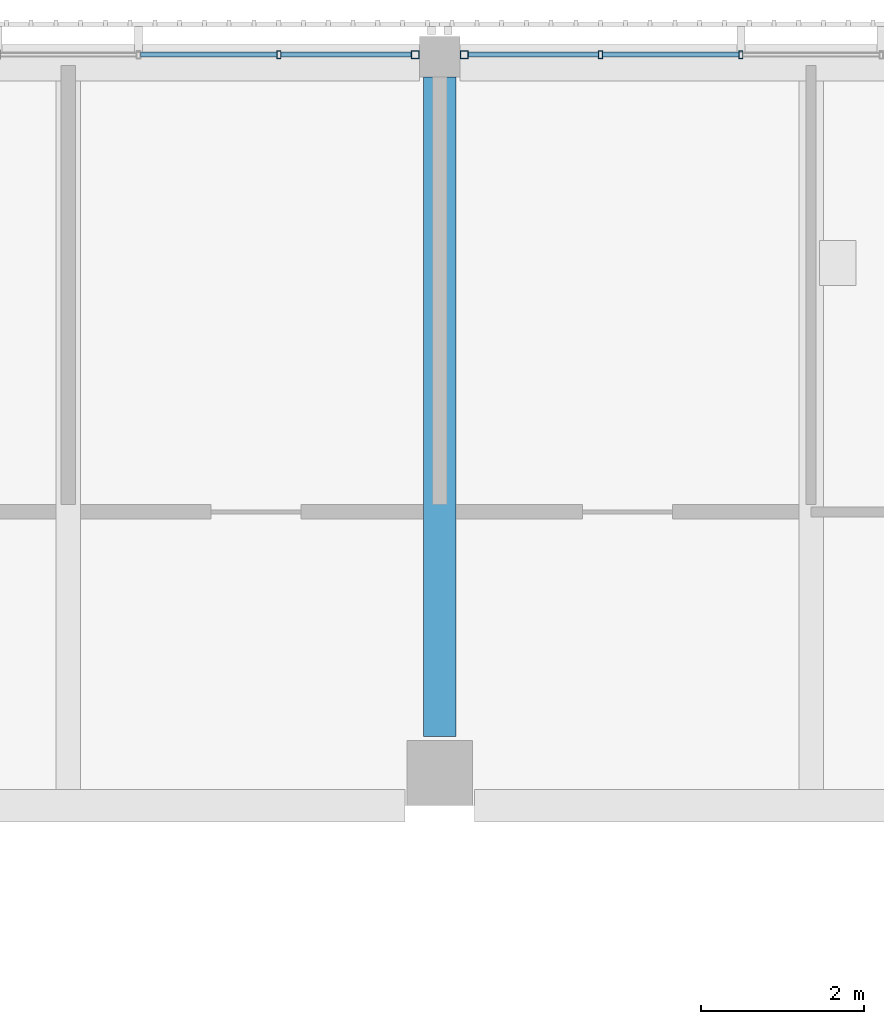
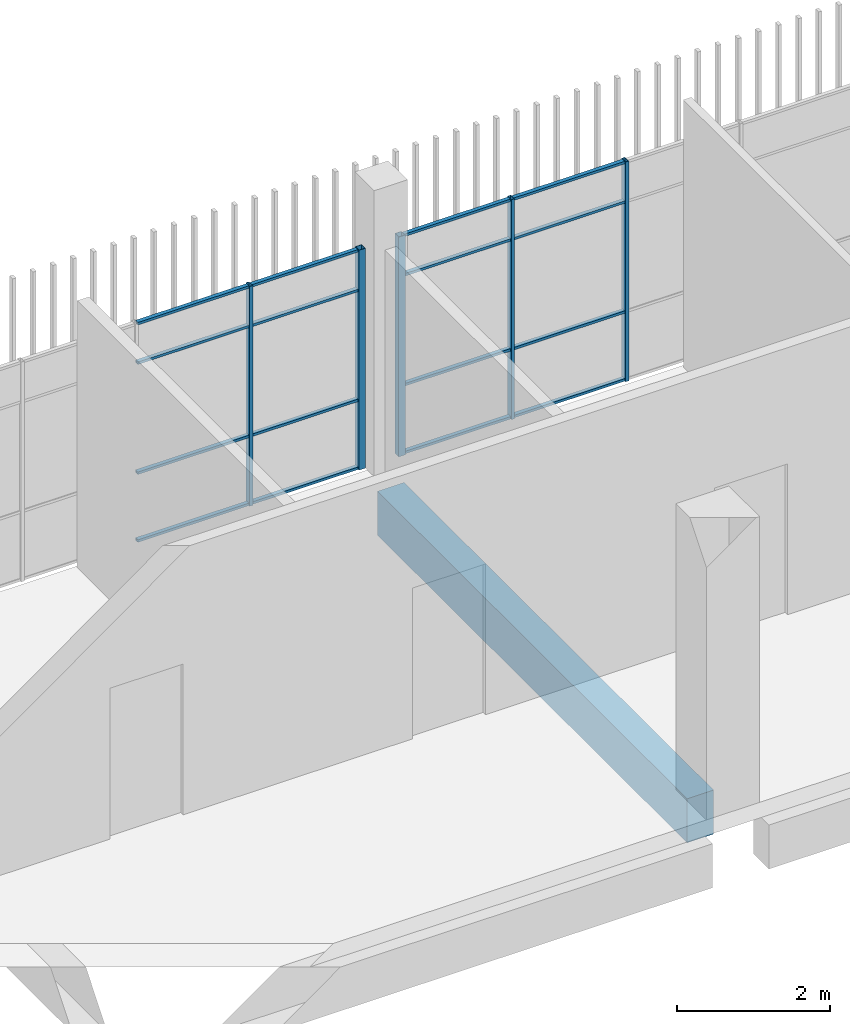
# One storey, part 44 of 124: 21 members, 1 beam, 2 elements without a shape of their own.
"""IFC4 building model written with IfcOpenShell, lengths in metres."""

from ifc_helpers import new_model, si_unit, direction, frame, origin, origin_2d, place, context, subcontext, project, spatial, rectangle, hollow_rectangle, extrude, material, layer, layer_set, material_profile, profile_set, type_object, element, aggregate, save


model = new_model("IFC4")

# Units and contexts
model_context = context("Model", 3, precision=1e-05, world=origin(), true_north=direction((0.0, 1.0)))
body_context = subcontext(model_context, "Body", "Model", "MODEL_VIEW")
ifc_project = project(units=[si_unit("LENGTHUNIT", "METRE"), si_unit("AREAUNIT", "SQUARE_METRE"), si_unit("VOLUMEUNIT", "CUBIC_METRE"), si_unit("PLANEANGLEUNIT", "RADIAN"), si_unit("MASSUNIT", "GRAM", prefix="KILO")], contexts=[model_context])

# Site, building, storey
site_placement = place(None, origin())
site = spatial("IfcSite", under=ifc_project, at=site_placement, CompositionType="ELEMENT")
building_placement = place(site_placement, origin())
building = spatial("IfcBuilding", under=site, at=building_placement, Name="Shirokan Park Arena", CompositionType="ELEMENT")
storey_placement = place(building_placement, frame((0.0, 0.0, 20.02001953125)))
storey = spatial("IfcBuildingStorey", under=building, at=storey_placement, Name="L04", CompositionType="ELEMENT", Elevation=20.02001953125)

# Curtain wall, member
ifc_material_1 = material(Name="Steel and glass curtain wall", Category="steel")
ifc_layer = layer(ifc_material_1, 0.10009765625)
ifc_layer_set = layer_set([ifc_layer], Name="Steel and glass curtain wall 100 mm")
curtain_wall_type = type_object("IfcCurtainWallType", Name="Curtain wall sheltered bay 100", PredefinedType="NOTDEFINED", material=ifc_layer_set)
curtain_wall_1_placement = place(storey_placement, origin())
curtain_wall_1 = element("IfcCurtainWall", 1, at=curtain_wall_1_placement, inside=storey, type_object=curtain_wall_type, Name="Curtain wall north bay 6 L04", PredefinedType="NOTDEFINED")
ifc_material_2 = material(Name="Steel S355", Category="steel")
ifc_material_profile_1 = material_profile(ifc_material_2, hollow_rectangle(XDim=0.10009765625, YDim=0.10009765625, WallThickness=0.006103515625, at=origin_2d()), Name="RHS 100x100x6")
ifc_profile_set_1 = profile_set([ifc_material_profile_1], Name="Steel S355")
member_type_1 = type_object("IfcMemberType", Name="Mullion RHS 100x100x6", PredefinedType="MULLION", material=ifc_profile_set_1)
member_1_placement = place(storey_placement, frame((91.300048828125, 109.300048828125, 0.0), z_axis=(0.0, 0.0, 1.0), x_axis=(0.0, -1.0, 0.0)))
member_1 = element("IfcMember", 2, at=member_1_placement, type_object=member_type_1, Name="CW2 mullion 6", PredefinedType="MULLION", context=body_context, shape_type="SweptSolid", body=[
    extrude(hollow_rectangle(XDim=0.10009765625, YDim=0.10009765625, WallThickness=0.006103515625, at=origin_2d()), origin(), (0.0, 0.0, 1.0), 3.5),
])

curtain_wall_2_placement = place(storey_placement, origin())
curtain_wall_2 = element("IfcCurtainWall", 3, at=curtain_wall_2_placement, inside=storey, type_object=curtain_wall_type, Name="Curtain wall north bay 7 L04", PredefinedType="NOTDEFINED")
member_2_placement = place(storey_placement, frame((90.699951171875, 109.300048828125, 0.0), z_axis=(0.0, 0.0, 1.0), x_axis=(0.0, -1.0, 0.0)))
member_2 = element("IfcMember", 4, at=member_2_placement, type_object=member_type_1, Name="CW2 mullion 1", PredefinedType="MULLION", context=body_context, shape_type="SweptSolid", body=[
    extrude(hollow_rectangle(XDim=0.10009765625, YDim=0.10009765625, WallThickness=0.006103515625, at=origin_2d()), origin(), (0.0, 0.0, 1.0), 3.5),
])

# Member
ifc_material_profile_2 = material_profile(ifc_material_2, hollow_rectangle(XDim=0.10009765625, YDim=0.050048828125, WallThickness=0.0048828125, at=origin_2d()), Name="RHS 100x50x5")
ifc_profile_set_2 = profile_set([ifc_material_profile_2], Name="Steel S355")
member_type_2 = type_object("IfcMemberType", Name="Mullion RHS 100x50x5", PredefinedType="MULLION", material=ifc_profile_set_2)
member_3_placement = place(storey_placement, frame((94.68994140625, 109.300048828125, 0.0), z_axis=(0.0, 0.0, 1.0), x_axis=(0.0, -1.0, 0.0)))
member_3 = element("IfcMember", 5, at=member_3_placement, type_object=member_type_2, Name="CW2 mullion 4", PredefinedType="MULLION", context=body_context, shape_type="SweptSolid", body=[
    extrude(hollow_rectangle(XDim=0.10009765625, YDim=0.050048828125, WallThickness=0.0048828125, at=origin_2d()), origin(), (0.0, 0.0, 1.0), 3.5),
])

member_4_placement = place(storey_placement, frame((92.969970703125, 109.300048828125, 0.0), z_axis=(0.0, 0.0, 1.0), x_axis=(0.0, -1.0, 0.0)))
member_4 = element("IfcMember", 6, at=member_4_placement, type_object=member_type_2, Name="CW2 mullion 5", PredefinedType="MULLION", context=body_context, shape_type="SweptSolid", body=[
    extrude(hollow_rectangle(XDim=0.10009765625, YDim=0.050048828125, WallThickness=0.0048828125, at=origin_2d()), origin(), (0.0, 0.0, 1.0), 3.5),
])

member_5_placement = place(storey_placement, frame((89.030029296875, 109.300048828125, 0.0), z_axis=(0.0, 0.0, 1.0), x_axis=(0.0, -1.0, 0.0)))
member_5 = element("IfcMember", 7, at=member_5_placement, type_object=member_type_2, Name="CW2 mullion 2", PredefinedType="MULLION", context=body_context, shape_type="SweptSolid", body=[
    extrude(hollow_rectangle(XDim=0.10009765625, YDim=0.050048828125, WallThickness=0.0048828125, at=origin_2d()), origin(), (0.0, 0.0, 1.0), 3.5),
])

# Beam
ifc_material_3 = material(Name="Concrete C35", Category="concrete")
ifc_material_profile_3 = material_profile(ifc_material_3, rectangle(XDim=0.39990234375, YDim=0.699951171875, at=origin_2d()), Name="400x700")
ifc_profile_set_3 = profile_set([ifc_material_profile_3], Name="Concrete C35")
beam_type = type_object("IfcBeamType", Name="RC girder 400x700", PredefinedType="BEAM", material=ifc_profile_set_3)
beam_placement = place(storey_placement, frame((91.0, 100.9501953125, -0.60009765625), z_axis=(0.0, 1.0, 0.0), x_axis=(-1.0, 0.0, 0.0)))
element("IfcBeam", 8, at=beam_placement, inside=storey, type_object=beam_type, Name="Girder 11M-11N L04", PredefinedType="BEAM", context=body_context, shape_type="SweptSolid", body=[
    extrude(rectangle(XDim=0.39990234375, YDim=0.699951171875, at=origin_2d()), origin(), (0.0, 0.0, 1.0), 8.07470703125),
])

# Member
ifc_material_profile_4 = material_profile(ifc_material_2, hollow_rectangle(XDim=0.06005859375, YDim=0.0400390625, WallThickness=0.00390625, at=origin_2d()), Name="RHS 60x40x4")
ifc_profile_set_4 = profile_set([ifc_material_profile_4], Name="Steel S355")
member_type_3 = type_object("IfcMemberType", Name="Transom RHS 60x40x4", PredefinedType="MULLION", material=ifc_profile_set_4)
member_6_placement = place(storey_placement, frame((94.6650390625, 109.300048828125, 0.02001953125), z_axis=(-1.0, 0.0, 0.0), x_axis=(0.0, -1.0, 0.0)))
member_6 = element("IfcMember", 9, at=member_6_placement, type_object=member_type_3, Name="CW2 transom 4.1", PredefinedType="MULLION", context=body_context, shape_type="SweptSolid", body=[
    extrude(hollow_rectangle(XDim=0.06005859375, YDim=0.0400390625, WallThickness=0.00390625, at=origin_2d()), origin(), (0.0, 0.0, 1.0), 1.669921875),
])

member_7_placement = place(storey_placement, frame((94.6650390625, 109.300048828125, 1.10009765625), z_axis=(-1.0, 0.0, 0.0), x_axis=(0.0, -1.0, 0.0)))
member_7 = element("IfcMember", 10, at=member_7_placement, type_object=member_type_3, Name="CW2 transom 4.2", PredefinedType="MULLION", context=body_context, shape_type="SweptSolid", body=[
    extrude(hollow_rectangle(XDim=0.06005859375, YDim=0.0400390625, WallThickness=0.00390625, at=origin_2d()), origin(), (0.0, 0.0, 1.0), 1.669921875),
])

member_8_placement = place(storey_placement, frame((94.6650390625, 109.300048828125, 2.85009765625), z_axis=(-1.0, 0.0, 0.0), x_axis=(0.0, -1.0, 0.0)))
member_8 = element("IfcMember", 11, at=member_8_placement, type_object=member_type_3, Name="CW2 transom 4.3", PredefinedType="MULLION", context=body_context, shape_type="SweptSolid", body=[
    extrude(hollow_rectangle(XDim=0.06005859375, YDim=0.0400390625, WallThickness=0.00390625, at=origin_2d()), origin(), (0.0, 0.0, 1.0), 1.669921875),
])

member_9_placement = place(storey_placement, frame((94.6650390625, 109.300048828125, 3.47998046875), z_axis=(-1.0, 0.0, 0.0), x_axis=(0.0, -1.0, 0.0)))
member_9 = element("IfcMember", 12, at=member_9_placement, type_object=member_type_3, Name="CW2 transom 4.4", PredefinedType="MULLION", context=body_context, shape_type="SweptSolid", body=[
    extrude(hollow_rectangle(XDim=0.06005859375, YDim=0.0400390625, WallThickness=0.00390625, at=origin_2d()), origin(), (0.0, 0.0, 1.0), 1.669921875),
])

member_10_placement = place(storey_placement, frame((92.945068359375, 109.300048828125, 0.02001953125), z_axis=(-1.0, 0.0, 0.0), x_axis=(0.0, -1.0, 0.0)))
member_10 = element("IfcMember", 13, at=member_10_placement, type_object=member_type_3, Name="CW2 transom 5.1", PredefinedType="MULLION", context=body_context, shape_type="SweptSolid", body=[
    extrude(hollow_rectangle(XDim=0.06005859375, YDim=0.0400390625, WallThickness=0.00390625, at=origin_2d()), origin(), (0.0, 0.0, 1.0), 1.594970703125),
])

member_11_placement = place(storey_placement, frame((92.945068359375, 109.300048828125, 1.10009765625), z_axis=(-1.0, 0.0, 0.0), x_axis=(0.0, -1.0, 0.0)))
member_11 = element("IfcMember", 14, at=member_11_placement, type_object=member_type_3, Name="CW2 transom 5.2", PredefinedType="MULLION", context=body_context, shape_type="SweptSolid", body=[
    extrude(hollow_rectangle(XDim=0.06005859375, YDim=0.0400390625, WallThickness=0.00390625, at=origin_2d()), origin(), (0.0, 0.0, 1.0), 1.594970703125),
])

member_12_placement = place(storey_placement, frame((92.945068359375, 109.300048828125, 2.85009765625), z_axis=(-1.0, 0.0, 0.0), x_axis=(0.0, -1.0, 0.0)))
member_12 = element("IfcMember", 15, at=member_12_placement, type_object=member_type_3, Name="CW2 transom 5.3", PredefinedType="MULLION", context=body_context, shape_type="SweptSolid", body=[
    extrude(hollow_rectangle(XDim=0.06005859375, YDim=0.0400390625, WallThickness=0.00390625, at=origin_2d()), origin(), (0.0, 0.0, 1.0), 1.594970703125),
])

member_13_placement = place(storey_placement, frame((92.945068359375, 109.300048828125, 3.47998046875), z_axis=(-1.0, 0.0, 0.0), x_axis=(0.0, -1.0, 0.0)))
member_13 = element("IfcMember", 16, at=member_13_placement, type_object=member_type_3, Name="CW2 transom 5.4", PredefinedType="MULLION", context=body_context, shape_type="SweptSolid", body=[
    extrude(hollow_rectangle(XDim=0.06005859375, YDim=0.0400390625, WallThickness=0.00390625, at=origin_2d()), origin(), (0.0, 0.0, 1.0), 1.594970703125),
])

aggregate(curtain_wall_1, [member_3, member_4, member_1, member_6, member_7, member_8, member_9, member_10, member_11, member_12, member_13])

member_14_placement = place(storey_placement, frame((90.64990234375, 109.300048828125, 0.02001953125), z_axis=(-1.0, 0.0, 0.0), x_axis=(0.0, -1.0, 0.0)))
member_14 = element("IfcMember", 17, at=member_14_placement, type_object=member_type_3, Name="CW2 transom 1.1", PredefinedType="MULLION", context=body_context, shape_type="SweptSolid", body=[
    extrude(hollow_rectangle(XDim=0.06005859375, YDim=0.0400390625, WallThickness=0.00390625, at=origin_2d()), origin(), (0.0, 0.0, 1.0), 1.594970703125),
])

member_15_placement = place(storey_placement, frame((90.64990234375, 109.300048828125, 1.10009765625), z_axis=(-1.0, 0.0, 0.0), x_axis=(0.0, -1.0, 0.0)))
member_15 = element("IfcMember", 18, at=member_15_placement, type_object=member_type_3, Name="CW2 transom 1.2", PredefinedType="MULLION", context=body_context, shape_type="SweptSolid", body=[
    extrude(hollow_rectangle(XDim=0.06005859375, YDim=0.0400390625, WallThickness=0.00390625, at=origin_2d()), origin(), (0.0, 0.0, 1.0), 1.594970703125),
])

member_16_placement = place(storey_placement, frame((90.64990234375, 109.300048828125, 2.85009765625), z_axis=(-1.0, 0.0, 0.0), x_axis=(0.0, -1.0, 0.0)))
member_16 = element("IfcMember", 19, at=member_16_placement, type_object=member_type_3, Name="CW2 transom 1.3", PredefinedType="MULLION", context=body_context, shape_type="SweptSolid", body=[
    extrude(hollow_rectangle(XDim=0.06005859375, YDim=0.0400390625, WallThickness=0.00390625, at=origin_2d()), origin(), (0.0, 0.0, 1.0), 1.594970703125),
])

member_17_placement = place(storey_placement, frame((90.64990234375, 109.300048828125, 3.47998046875), z_axis=(-1.0, 0.0, 0.0), x_axis=(0.0, -1.0, 0.0)))
member_17 = element("IfcMember", 20, at=member_17_placement, type_object=member_type_3, Name="CW2 transom 1.4", PredefinedType="MULLION", context=body_context, shape_type="SweptSolid", body=[
    extrude(hollow_rectangle(XDim=0.06005859375, YDim=0.0400390625, WallThickness=0.00390625, at=origin_2d()), origin(), (0.0, 0.0, 1.0), 1.594970703125),
])

member_18_placement = place(storey_placement, frame((89.0048828125, 109.300048828125, 0.02001953125), z_axis=(-1.0, 0.0, 0.0), x_axis=(0.0, -1.0, 0.0)))
member_18 = element("IfcMember", 21, at=member_18_placement, type_object=member_type_3, Name="CW2 transom 2.1", PredefinedType="MULLION", context=body_context, shape_type="SweptSolid", body=[
    extrude(hollow_rectangle(XDim=0.06005859375, YDim=0.0400390625, WallThickness=0.00390625, at=origin_2d()), origin(), (0.0, 0.0, 1.0), 1.669921875),
])

member_19_placement = place(storey_placement, frame((89.0048828125, 109.300048828125, 1.10009765625), z_axis=(-1.0, 0.0, 0.0), x_axis=(0.0, -1.0, 0.0)))
member_19 = element("IfcMember", 22, at=member_19_placement, type_object=member_type_3, Name="CW2 transom 2.2", PredefinedType="MULLION", context=body_context, shape_type="SweptSolid", body=[
    extrude(hollow_rectangle(XDim=0.06005859375, YDim=0.0400390625, WallThickness=0.00390625, at=origin_2d()), origin(), (0.0, 0.0, 1.0), 1.669921875),
])

member_20_placement = place(storey_placement, frame((89.0048828125, 109.300048828125, 2.85009765625), z_axis=(-1.0, 0.0, 0.0), x_axis=(0.0, -1.0, 0.0)))
member_20 = element("IfcMember", 23, at=member_20_placement, type_object=member_type_3, Name="CW2 transom 2.3", PredefinedType="MULLION", context=body_context, shape_type="SweptSolid", body=[
    extrude(hollow_rectangle(XDim=0.06005859375, YDim=0.0400390625, WallThickness=0.00390625, at=origin_2d()), origin(), (0.0, 0.0, 1.0), 1.669921875),
])

member_21_placement = place(storey_placement, frame((89.0048828125, 109.300048828125, 3.47998046875), z_axis=(-1.0, 0.0, 0.0), x_axis=(0.0, -1.0, 0.0)))
member_21 = element("IfcMember", 24, at=member_21_placement, type_object=member_type_3, Name="CW2 transom 2.4", PredefinedType="MULLION", context=body_context, shape_type="SweptSolid", body=[
    extrude(hollow_rectangle(XDim=0.06005859375, YDim=0.0400390625, WallThickness=0.00390625, at=origin_2d()), origin(), (0.0, 0.0, 1.0), 1.669921875),
])

aggregate(curtain_wall_2, [member_2, member_5, member_14, member_15, member_16, member_17, member_18, member_19, member_20, member_21])

save(model, "model.ifc")
